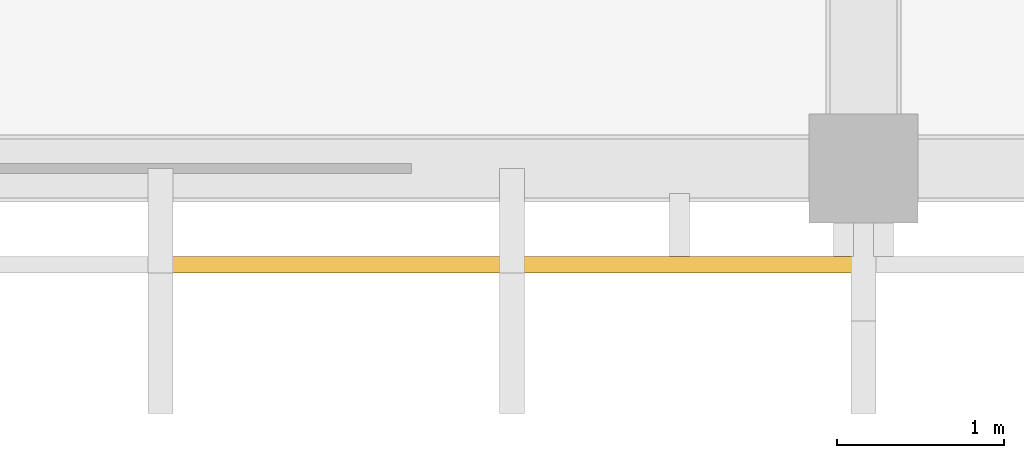
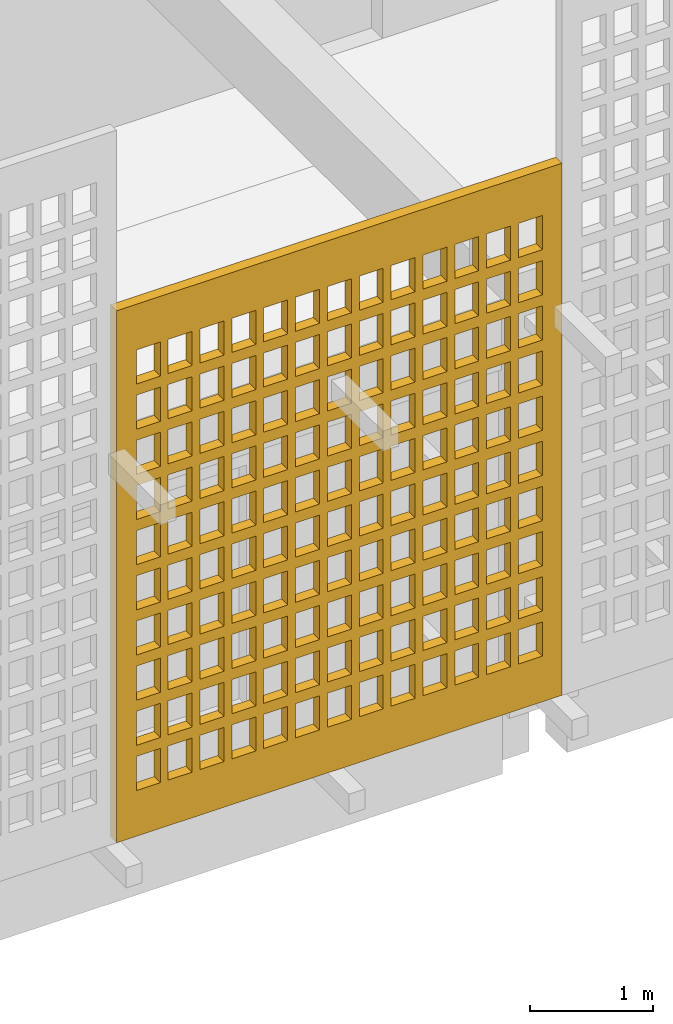
# One storey, part 9 of 23: 1 shading device, 1 opening.
"""IFC4 building model written with IfcOpenShell, lengths in metres."""

from ifc_helpers import new_model, si_unit, direction, frame, origin, origin_2d, place, context, subcontext, project, spatial, rectangle, extrude, material, layer, layer_set, type_object, element, save


model = new_model("IFC4")

# Units and contexts
model_context = context("Model", 3, precision=1e-05, world=origin(), true_north=direction((0.0, 1.0)))
body_context = subcontext(model_context, "Body", "Model", "MODEL_VIEW")
ifc_project = project(units=[si_unit("LENGTHUNIT", "METRE"), si_unit("AREAUNIT", "SQUARE_METRE"), si_unit("VOLUMEUNIT", "CUBIC_METRE"), si_unit("PLANEANGLEUNIT", "RADIAN"), si_unit("MASSUNIT", "GRAM", prefix="KILO")], contexts=[model_context])

# Site, building, storey
site_placement = place(None, origin())
site = spatial("IfcSite", under=ifc_project, at=site_placement, CompositionType="ELEMENT")
building_placement = place(site_placement, origin())
building = spatial("IfcBuilding", under=site, at=building_placement, Name="Rulbaag Community and Learning Centre", CompositionType="ELEMENT")
storey_placement = place(building_placement, frame((0.0, 0.0, 64.800048828125)))
storey = spatial("IfcBuildingStorey", under=building, at=storey_placement, Name="L17", CompositionType="ELEMENT", Elevation=64.800048828125)

# Shading device, opening
ifc_material = material(Name="Concrete M40", Category="concrete")
ifc_layer = layer(ifc_material, 0.10009765625)
ifc_layer_set = layer_set([ifc_layer], Name="JC-4")
shading_device_type = type_object("IfcShadingDeviceType", Name="JC-4", PredefinedType="SHUTTER", material=ifc_layer_set)
shading_device_placement = place(storey_placement, frame((157.5, 83.425048828125, 0.0), z_axis=(0.0, 0.0, 1.0), x_axis=(1.0, 0.0, 0.0)))
shading_device = element("IfcShadingDevice", 1, at=shading_device_placement, inside=storey, type_object=shading_device_type, Name="Jaali lantern screen", PredefinedType="SHUTTER", context=body_context, shape_type="SweptSolid", body=[
    extrude(rectangle(XDim=4.199951171875, YDim=0.10009765625, at=origin_2d()), origin(), (0.0, 0.0, 1.0), 5.300048828125),
])
opening_placement = place(shading_device_placement, origin())
element("IfcOpeningElement", 2, at=opening_placement, cuts=shading_device, Name="Perforation JC4", PredefinedType="OPENING", context=body_context, shape_type="SweptSolid", body=[
    extrude(rectangle(XDim=0.22509765625, YDim=0.340087890625, at=origin_2d()), frame((-1.800048828125, -0.06005859375, 0.625), z_axis=(0.0, 1.0, 0.0), x_axis=(1.0, 0.0, 0.0)), (0.0, 0.0, 1.0), 0.1201171875),
    extrude(rectangle(XDim=0.22509765625, YDim=0.340087890625, at=origin_2d()), frame((-1.5, -0.06005859375, 0.625), z_axis=(0.0, 1.0, 0.0), x_axis=(1.0, 0.0, 0.0)), (0.0, 0.0, 1.0), 0.1201171875),
    extrude(rectangle(XDim=0.22509765625, YDim=0.340087890625, at=origin_2d()), frame((-1.199951171875, -0.06005859375, 0.625), z_axis=(0.0, 1.0, 0.0), x_axis=(1.0, 0.0, 0.0)), (0.0, 0.0, 1.0), 0.1201171875),
    extrude(rectangle(XDim=0.22509765625, YDim=0.340087890625, at=origin_2d()), frame((-0.89990234375, -0.06005859375, 0.625), z_axis=(0.0, 1.0, 0.0), x_axis=(1.0, 0.0, 0.0)), (0.0, 0.0, 1.0), 0.1201171875),
    extrude(rectangle(XDim=0.22509765625, YDim=0.340087890625, at=origin_2d()), frame((-0.60009765625, -0.06005859375, 0.625), z_axis=(0.0, 1.0, 0.0), x_axis=(1.0, 0.0, 0.0)), (0.0, 0.0, 1.0), 0.1201171875),
    extrude(rectangle(XDim=0.22509765625, YDim=0.340087890625, at=origin_2d()), frame((-0.300048828125, -0.06005859375, 0.625), z_axis=(0.0, 1.0, 0.0), x_axis=(1.0, 0.0, 0.0)), (0.0, 0.0, 1.0), 0.1201171875),
    extrude(rectangle(XDim=0.22509765625, YDim=0.340087890625, at=origin_2d()), frame((0.0, -0.06005859375, 0.625), z_axis=(0.0, 1.0, 0.0), x_axis=(1.0, 0.0, 0.0)), (0.0, 0.0, 1.0), 0.1201171875),
    extrude(rectangle(XDim=0.22509765625, YDim=0.340087890625, at=origin_2d()), frame((0.300048828125, -0.06005859375, 0.625), z_axis=(0.0, 1.0, 0.0), x_axis=(1.0, 0.0, 0.0)), (0.0, 0.0, 1.0), 0.1201171875),
    extrude(rectangle(XDim=0.22509765625, YDim=0.340087890625, at=origin_2d()), frame((0.60009765625, -0.06005859375, 0.625), z_axis=(0.0, 1.0, 0.0), x_axis=(1.0, 0.0, 0.0)), (0.0, 0.0, 1.0), 0.1201171875),
    extrude(rectangle(XDim=0.22509765625, YDim=0.340087890625, at=origin_2d()), frame((0.89990234375, -0.06005859375, 0.625), z_axis=(0.0, 1.0, 0.0), x_axis=(1.0, 0.0, 0.0)), (0.0, 0.0, 1.0), 0.1201171875),
    extrude(rectangle(XDim=0.22509765625, YDim=0.340087890625, at=origin_2d()), frame((1.199951171875, -0.06005859375, 0.625), z_axis=(0.0, 1.0, 0.0), x_axis=(1.0, 0.0, 0.0)), (0.0, 0.0, 1.0), 0.1201171875),
    extrude(rectangle(XDim=0.22509765625, YDim=0.340087890625, at=origin_2d()), frame((1.5, -0.06005859375, 0.625), z_axis=(0.0, 1.0, 0.0), x_axis=(1.0, 0.0, 0.0)), (0.0, 0.0, 1.0), 0.1201171875),
    extrude(rectangle(XDim=0.22509765625, YDim=0.340087890625, at=origin_2d()), frame((1.800048828125, -0.06005859375, 0.625), z_axis=(0.0, 1.0, 0.0), x_axis=(1.0, 0.0, 0.0)), (0.0, 0.0, 1.0), 0.1201171875),
    extrude(rectangle(XDim=0.22509765625, YDim=0.340087890625, at=origin_2d()), frame((-1.800048828125, -0.06005859375, 1.074951171875), z_axis=(0.0, 1.0, 0.0), x_axis=(1.0, 0.0, 0.0)), (0.0, 0.0, 1.0), 0.1201171875),
    extrude(rectangle(XDim=0.22509765625, YDim=0.340087890625, at=origin_2d()), frame((-1.5, -0.06005859375, 1.074951171875), z_axis=(0.0, 1.0, 0.0), x_axis=(1.0, 0.0, 0.0)), (0.0, 0.0, 1.0), 0.1201171875),
    extrude(rectangle(XDim=0.22509765625, YDim=0.340087890625, at=origin_2d()), frame((-1.199951171875, -0.06005859375, 1.074951171875), z_axis=(0.0, 1.0, 0.0), x_axis=(1.0, 0.0, 0.0)), (0.0, 0.0, 1.0), 0.1201171875),
    extrude(rectangle(XDim=0.22509765625, YDim=0.340087890625, at=origin_2d()), frame((-0.89990234375, -0.06005859375, 1.074951171875), z_axis=(0.0, 1.0, 0.0), x_axis=(1.0, 0.0, 0.0)), (0.0, 0.0, 1.0), 0.1201171875),
    extrude(rectangle(XDim=0.22509765625, YDim=0.340087890625, at=origin_2d()), frame((-0.60009765625, -0.06005859375, 1.074951171875), z_axis=(0.0, 1.0, 0.0), x_axis=(1.0, 0.0, 0.0)), (0.0, 0.0, 1.0), 0.1201171875),
    extrude(rectangle(XDim=0.22509765625, YDim=0.340087890625, at=origin_2d()), frame((-0.300048828125, -0.06005859375, 1.074951171875), z_axis=(0.0, 1.0, 0.0), x_axis=(1.0, 0.0, 0.0)), (0.0, 0.0, 1.0), 0.1201171875),
    extrude(rectangle(XDim=0.22509765625, YDim=0.340087890625, at=origin_2d()), frame((0.0, -0.06005859375, 1.074951171875), z_axis=(0.0, 1.0, 0.0), x_axis=(1.0, 0.0, 0.0)), (0.0, 0.0, 1.0), 0.1201171875),
    extrude(rectangle(XDim=0.22509765625, YDim=0.340087890625, at=origin_2d()), frame((0.300048828125, -0.06005859375, 1.074951171875), z_axis=(0.0, 1.0, 0.0), x_axis=(1.0, 0.0, 0.0)), (0.0, 0.0, 1.0), 0.1201171875),
    extrude(rectangle(XDim=0.22509765625, YDim=0.340087890625, at=origin_2d()), frame((0.60009765625, -0.06005859375, 1.074951171875), z_axis=(0.0, 1.0, 0.0), x_axis=(1.0, 0.0, 0.0)), (0.0, 0.0, 1.0), 0.1201171875),
    extrude(rectangle(XDim=0.22509765625, YDim=0.340087890625, at=origin_2d()), frame((0.89990234375, -0.06005859375, 1.074951171875), z_axis=(0.0, 1.0, 0.0), x_axis=(1.0, 0.0, 0.0)), (0.0, 0.0, 1.0), 0.1201171875),
    extrude(rectangle(XDim=0.22509765625, YDim=0.340087890625, at=origin_2d()), frame((1.199951171875, -0.06005859375, 1.074951171875), z_axis=(0.0, 1.0, 0.0), x_axis=(1.0, 0.0, 0.0)), (0.0, 0.0, 1.0), 0.1201171875),
    extrude(rectangle(XDim=0.22509765625, YDim=0.340087890625, at=origin_2d()), frame((1.5, -0.06005859375, 1.074951171875), z_axis=(0.0, 1.0, 0.0), x_axis=(1.0, 0.0, 0.0)), (0.0, 0.0, 1.0), 0.1201171875),
    extrude(rectangle(XDim=0.22509765625, YDim=0.340087890625, at=origin_2d()), frame((1.800048828125, -0.06005859375, 1.074951171875), z_axis=(0.0, 1.0, 0.0), x_axis=(1.0, 0.0, 0.0)), (0.0, 0.0, 1.0), 0.1201171875),
    extrude(rectangle(XDim=0.22509765625, YDim=0.340087890625, at=origin_2d()), frame((-1.800048828125, -0.06005859375, 1.52490234375), z_axis=(0.0, 1.0, 0.0), x_axis=(1.0, 0.0, 0.0)), (0.0, 0.0, 1.0), 0.1201171875),
    extrude(rectangle(XDim=0.22509765625, YDim=0.340087890625, at=origin_2d()), frame((-1.5, -0.06005859375, 1.52490234375), z_axis=(0.0, 1.0, 0.0), x_axis=(1.0, 0.0, 0.0)), (0.0, 0.0, 1.0), 0.1201171875),
    extrude(rectangle(XDim=0.22509765625, YDim=0.340087890625, at=origin_2d()), frame((-1.199951171875, -0.06005859375, 1.52490234375), z_axis=(0.0, 1.0, 0.0), x_axis=(1.0, 0.0, 0.0)), (0.0, 0.0, 1.0), 0.1201171875),
    extrude(rectangle(XDim=0.22509765625, YDim=0.340087890625, at=origin_2d()), frame((-0.89990234375, -0.06005859375, 1.52490234375), z_axis=(0.0, 1.0, 0.0), x_axis=(1.0, 0.0, 0.0)), (0.0, 0.0, 1.0), 0.1201171875),
    extrude(rectangle(XDim=0.22509765625, YDim=0.340087890625, at=origin_2d()), frame((-0.60009765625, -0.06005859375, 1.52490234375), z_axis=(0.0, 1.0, 0.0), x_axis=(1.0, 0.0, 0.0)), (0.0, 0.0, 1.0), 0.1201171875),
    extrude(rectangle(XDim=0.22509765625, YDim=0.340087890625, at=origin_2d()), frame((-0.300048828125, -0.06005859375, 1.52490234375), z_axis=(0.0, 1.0, 0.0), x_axis=(1.0, 0.0, 0.0)), (0.0, 0.0, 1.0), 0.1201171875),
    extrude(rectangle(XDim=0.22509765625, YDim=0.340087890625, at=origin_2d()), frame((0.0, -0.06005859375, 1.52490234375), z_axis=(0.0, 1.0, 0.0), x_axis=(1.0, 0.0, 0.0)), (0.0, 0.0, 1.0), 0.1201171875),
    extrude(rectangle(XDim=0.22509765625, YDim=0.340087890625, at=origin_2d()), frame((0.300048828125, -0.06005859375, 1.52490234375), z_axis=(0.0, 1.0, 0.0), x_axis=(1.0, 0.0, 0.0)), (0.0, 0.0, 1.0), 0.1201171875),
    extrude(rectangle(XDim=0.22509765625, YDim=0.340087890625, at=origin_2d()), frame((0.60009765625, -0.06005859375, 1.52490234375), z_axis=(0.0, 1.0, 0.0), x_axis=(1.0, 0.0, 0.0)), (0.0, 0.0, 1.0), 0.1201171875),
    extrude(rectangle(XDim=0.22509765625, YDim=0.340087890625, at=origin_2d()), frame((0.89990234375, -0.06005859375, 1.52490234375), z_axis=(0.0, 1.0, 0.0), x_axis=(1.0, 0.0, 0.0)), (0.0, 0.0, 1.0), 0.1201171875),
    extrude(rectangle(XDim=0.22509765625, YDim=0.340087890625, at=origin_2d()), frame((1.199951171875, -0.06005859375, 1.52490234375), z_axis=(0.0, 1.0, 0.0), x_axis=(1.0, 0.0, 0.0)), (0.0, 0.0, 1.0), 0.1201171875),
    extrude(rectangle(XDim=0.22509765625, YDim=0.340087890625, at=origin_2d()), frame((1.5, -0.06005859375, 1.52490234375), z_axis=(0.0, 1.0, 0.0), x_axis=(1.0, 0.0, 0.0)), (0.0, 0.0, 1.0), 0.1201171875),
    extrude(rectangle(XDim=0.22509765625, YDim=0.340087890625, at=origin_2d()), frame((1.800048828125, -0.06005859375, 1.52490234375), z_axis=(0.0, 1.0, 0.0), x_axis=(1.0, 0.0, 0.0)), (0.0, 0.0, 1.0), 0.1201171875),
    extrude(rectangle(XDim=0.22509765625, YDim=0.340087890625, at=origin_2d()), frame((-1.800048828125, -0.06005859375, 1.97509765625), z_axis=(0.0, 1.0, 0.0), x_axis=(1.0, 0.0, 0.0)), (0.0, 0.0, 1.0), 0.1201171875),
    extrude(rectangle(XDim=0.22509765625, YDim=0.340087890625, at=origin_2d()), frame((-1.5, -0.06005859375, 1.97509765625), z_axis=(0.0, 1.0, 0.0), x_axis=(1.0, 0.0, 0.0)), (0.0, 0.0, 1.0), 0.1201171875),
    extrude(rectangle(XDim=0.22509765625, YDim=0.340087890625, at=origin_2d()), frame((-1.199951171875, -0.06005859375, 1.97509765625), z_axis=(0.0, 1.0, 0.0), x_axis=(1.0, 0.0, 0.0)), (0.0, 0.0, 1.0), 0.1201171875),
    extrude(rectangle(XDim=0.22509765625, YDim=0.340087890625, at=origin_2d()), frame((-0.89990234375, -0.06005859375, 1.97509765625), z_axis=(0.0, 1.0, 0.0), x_axis=(1.0, 0.0, 0.0)), (0.0, 0.0, 1.0), 0.1201171875),
    extrude(rectangle(XDim=0.22509765625, YDim=0.340087890625, at=origin_2d()), frame((-0.60009765625, -0.06005859375, 1.97509765625), z_axis=(0.0, 1.0, 0.0), x_axis=(1.0, 0.0, 0.0)), (0.0, 0.0, 1.0), 0.1201171875),
    extrude(rectangle(XDim=0.22509765625, YDim=0.340087890625, at=origin_2d()), frame((-0.300048828125, -0.06005859375, 1.97509765625), z_axis=(0.0, 1.0, 0.0), x_axis=(1.0, 0.0, 0.0)), (0.0, 0.0, 1.0), 0.1201171875),
    extrude(rectangle(XDim=0.22509765625, YDim=0.340087890625, at=origin_2d()), frame((0.0, -0.06005859375, 1.97509765625), z_axis=(0.0, 1.0, 0.0), x_axis=(1.0, 0.0, 0.0)), (0.0, 0.0, 1.0), 0.1201171875),
    extrude(rectangle(XDim=0.22509765625, YDim=0.340087890625, at=origin_2d()), frame((0.300048828125, -0.06005859375, 1.97509765625), z_axis=(0.0, 1.0, 0.0), x_axis=(1.0, 0.0, 0.0)), (0.0, 0.0, 1.0), 0.1201171875),
    extrude(rectangle(XDim=0.22509765625, YDim=0.340087890625, at=origin_2d()), frame((0.60009765625, -0.06005859375, 1.97509765625), z_axis=(0.0, 1.0, 0.0), x_axis=(1.0, 0.0, 0.0)), (0.0, 0.0, 1.0), 0.1201171875),
    extrude(rectangle(XDim=0.22509765625, YDim=0.340087890625, at=origin_2d()), frame((0.89990234375, -0.06005859375, 1.97509765625), z_axis=(0.0, 1.0, 0.0), x_axis=(1.0, 0.0, 0.0)), (0.0, 0.0, 1.0), 0.1201171875),
    extrude(rectangle(XDim=0.22509765625, YDim=0.340087890625, at=origin_2d()), frame((1.199951171875, -0.06005859375, 1.97509765625), z_axis=(0.0, 1.0, 0.0), x_axis=(1.0, 0.0, 0.0)), (0.0, 0.0, 1.0), 0.1201171875),
    extrude(rectangle(XDim=0.22509765625, YDim=0.340087890625, at=origin_2d()), frame((1.5, -0.06005859375, 1.97509765625), z_axis=(0.0, 1.0, 0.0), x_axis=(1.0, 0.0, 0.0)), (0.0, 0.0, 1.0), 0.1201171875),
    extrude(rectangle(XDim=0.22509765625, YDim=0.340087890625, at=origin_2d()), frame((1.800048828125, -0.06005859375, 1.97509765625), z_axis=(0.0, 1.0, 0.0), x_axis=(1.0, 0.0, 0.0)), (0.0, 0.0, 1.0), 0.1201171875),
    extrude(rectangle(XDim=0.22509765625, YDim=0.340087890625, at=origin_2d()), frame((-1.800048828125, -0.06005859375, 2.425048828125), z_axis=(0.0, 1.0, 0.0), x_axis=(1.0, 0.0, 0.0)), (0.0, 0.0, 1.0), 0.1201171875),
    extrude(rectangle(XDim=0.22509765625, YDim=0.340087890625, at=origin_2d()), frame((-1.5, -0.06005859375, 2.425048828125), z_axis=(0.0, 1.0, 0.0), x_axis=(1.0, 0.0, 0.0)), (0.0, 0.0, 1.0), 0.1201171875),
    extrude(rectangle(XDim=0.22509765625, YDim=0.340087890625, at=origin_2d()), frame((-1.199951171875, -0.06005859375, 2.425048828125), z_axis=(0.0, 1.0, 0.0), x_axis=(1.0, 0.0, 0.0)), (0.0, 0.0, 1.0), 0.1201171875),
    extrude(rectangle(XDim=0.22509765625, YDim=0.340087890625, at=origin_2d()), frame((-0.89990234375, -0.06005859375, 2.425048828125), z_axis=(0.0, 1.0, 0.0), x_axis=(1.0, 0.0, 0.0)), (0.0, 0.0, 1.0), 0.1201171875),
    extrude(rectangle(XDim=0.22509765625, YDim=0.340087890625, at=origin_2d()), frame((-0.60009765625, -0.06005859375, 2.425048828125), z_axis=(0.0, 1.0, 0.0), x_axis=(1.0, 0.0, 0.0)), (0.0, 0.0, 1.0), 0.1201171875),
    extrude(rectangle(XDim=0.22509765625, YDim=0.340087890625, at=origin_2d()), frame((-0.300048828125, -0.06005859375, 2.425048828125), z_axis=(0.0, 1.0, 0.0), x_axis=(1.0, 0.0, 0.0)), (0.0, 0.0, 1.0), 0.1201171875),
    extrude(rectangle(XDim=0.22509765625, YDim=0.340087890625, at=origin_2d()), frame((0.0, -0.06005859375, 2.425048828125), z_axis=(0.0, 1.0, 0.0), x_axis=(1.0, 0.0, 0.0)), (0.0, 0.0, 1.0), 0.1201171875),
    extrude(rectangle(XDim=0.22509765625, YDim=0.340087890625, at=origin_2d()), frame((0.300048828125, -0.06005859375, 2.425048828125), z_axis=(0.0, 1.0, 0.0), x_axis=(1.0, 0.0, 0.0)), (0.0, 0.0, 1.0), 0.1201171875),
    extrude(rectangle(XDim=0.22509765625, YDim=0.340087890625, at=origin_2d()), frame((0.60009765625, -0.06005859375, 2.425048828125), z_axis=(0.0, 1.0, 0.0), x_axis=(1.0, 0.0, 0.0)), (0.0, 0.0, 1.0), 0.1201171875),
    extrude(rectangle(XDim=0.22509765625, YDim=0.340087890625, at=origin_2d()), frame((0.89990234375, -0.06005859375, 2.425048828125), z_axis=(0.0, 1.0, 0.0), x_axis=(1.0, 0.0, 0.0)), (0.0, 0.0, 1.0), 0.1201171875),
    extrude(rectangle(XDim=0.22509765625, YDim=0.340087890625, at=origin_2d()), frame((1.199951171875, -0.06005859375, 2.425048828125), z_axis=(0.0, 1.0, 0.0), x_axis=(1.0, 0.0, 0.0)), (0.0, 0.0, 1.0), 0.1201171875),
    extrude(rectangle(XDim=0.22509765625, YDim=0.340087890625, at=origin_2d()), frame((1.5, -0.06005859375, 2.425048828125), z_axis=(0.0, 1.0, 0.0), x_axis=(1.0, 0.0, 0.0)), (0.0, 0.0, 1.0), 0.1201171875),
    extrude(rectangle(XDim=0.22509765625, YDim=0.340087890625, at=origin_2d()), frame((1.800048828125, -0.06005859375, 2.425048828125), z_axis=(0.0, 1.0, 0.0), x_axis=(1.0, 0.0, 0.0)), (0.0, 0.0, 1.0), 0.1201171875),
    extrude(rectangle(XDim=0.22509765625, YDim=0.340087890625, at=origin_2d()), frame((-1.800048828125, -0.06005859375, 2.875), z_axis=(0.0, 1.0, 0.0), x_axis=(1.0, 0.0, 0.0)), (0.0, 0.0, 1.0), 0.1201171875),
    extrude(rectangle(XDim=0.22509765625, YDim=0.340087890625, at=origin_2d()), frame((-1.5, -0.06005859375, 2.875), z_axis=(0.0, 1.0, 0.0), x_axis=(1.0, 0.0, 0.0)), (0.0, 0.0, 1.0), 0.1201171875),
    extrude(rectangle(XDim=0.22509765625, YDim=0.340087890625, at=origin_2d()), frame((-1.199951171875, -0.06005859375, 2.875), z_axis=(0.0, 1.0, 0.0), x_axis=(1.0, 0.0, 0.0)), (0.0, 0.0, 1.0), 0.1201171875),
    extrude(rectangle(XDim=0.22509765625, YDim=0.340087890625, at=origin_2d()), frame((-0.89990234375, -0.06005859375, 2.875), z_axis=(0.0, 1.0, 0.0), x_axis=(1.0, 0.0, 0.0)), (0.0, 0.0, 1.0), 0.1201171875),
    extrude(rectangle(XDim=0.22509765625, YDim=0.340087890625, at=origin_2d()), frame((-0.60009765625, -0.06005859375, 2.875), z_axis=(0.0, 1.0, 0.0), x_axis=(1.0, 0.0, 0.0)), (0.0, 0.0, 1.0), 0.1201171875),
    extrude(rectangle(XDim=0.22509765625, YDim=0.340087890625, at=origin_2d()), frame((-0.300048828125, -0.06005859375, 2.875), z_axis=(0.0, 1.0, 0.0), x_axis=(1.0, 0.0, 0.0)), (0.0, 0.0, 1.0), 0.1201171875),
    extrude(rectangle(XDim=0.22509765625, YDim=0.340087890625, at=origin_2d()), frame((0.0, -0.06005859375, 2.875), z_axis=(0.0, 1.0, 0.0), x_axis=(1.0, 0.0, 0.0)), (0.0, 0.0, 1.0), 0.1201171875),
    extrude(rectangle(XDim=0.22509765625, YDim=0.340087890625, at=origin_2d()), frame((0.300048828125, -0.06005859375, 2.875), z_axis=(0.0, 1.0, 0.0), x_axis=(1.0, 0.0, 0.0)), (0.0, 0.0, 1.0), 0.1201171875),
    extrude(rectangle(XDim=0.22509765625, YDim=0.340087890625, at=origin_2d()), frame((0.60009765625, -0.06005859375, 2.875), z_axis=(0.0, 1.0, 0.0), x_axis=(1.0, 0.0, 0.0)), (0.0, 0.0, 1.0), 0.1201171875),
    extrude(rectangle(XDim=0.22509765625, YDim=0.340087890625, at=origin_2d()), frame((0.89990234375, -0.06005859375, 2.875), z_axis=(0.0, 1.0, 0.0), x_axis=(1.0, 0.0, 0.0)), (0.0, 0.0, 1.0), 0.1201171875),
    extrude(rectangle(XDim=0.22509765625, YDim=0.340087890625, at=origin_2d()), frame((1.199951171875, -0.06005859375, 2.875), z_axis=(0.0, 1.0, 0.0), x_axis=(1.0, 0.0, 0.0)), (0.0, 0.0, 1.0), 0.1201171875),
    extrude(rectangle(XDim=0.22509765625, YDim=0.340087890625, at=origin_2d()), frame((1.5, -0.06005859375, 2.875), z_axis=(0.0, 1.0, 0.0), x_axis=(1.0, 0.0, 0.0)), (0.0, 0.0, 1.0), 0.1201171875),
    extrude(rectangle(XDim=0.22509765625, YDim=0.340087890625, at=origin_2d()), frame((1.800048828125, -0.06005859375, 2.875), z_axis=(0.0, 1.0, 0.0), x_axis=(1.0, 0.0, 0.0)), (0.0, 0.0, 1.0), 0.1201171875),
    extrude(rectangle(XDim=0.22509765625, YDim=0.340087890625, at=origin_2d()), frame((-1.800048828125, -0.06005859375, 3.324951171875), z_axis=(0.0, 1.0, 0.0), x_axis=(1.0, 0.0, 0.0)), (0.0, 0.0, 1.0), 0.1201171875),
    extrude(rectangle(XDim=0.22509765625, YDim=0.340087890625, at=origin_2d()), frame((-1.5, -0.06005859375, 3.324951171875), z_axis=(0.0, 1.0, 0.0), x_axis=(1.0, 0.0, 0.0)), (0.0, 0.0, 1.0), 0.1201171875),
    extrude(rectangle(XDim=0.22509765625, YDim=0.340087890625, at=origin_2d()), frame((-1.199951171875, -0.06005859375, 3.324951171875), z_axis=(0.0, 1.0, 0.0), x_axis=(1.0, 0.0, 0.0)), (0.0, 0.0, 1.0), 0.1201171875),
    extrude(rectangle(XDim=0.22509765625, YDim=0.340087890625, at=origin_2d()), frame((-0.89990234375, -0.06005859375, 3.324951171875), z_axis=(0.0, 1.0, 0.0), x_axis=(1.0, 0.0, 0.0)), (0.0, 0.0, 1.0), 0.1201171875),
    extrude(rectangle(XDim=0.22509765625, YDim=0.340087890625, at=origin_2d()), frame((-0.60009765625, -0.06005859375, 3.324951171875), z_axis=(0.0, 1.0, 0.0), x_axis=(1.0, 0.0, 0.0)), (0.0, 0.0, 1.0), 0.1201171875),
    extrude(rectangle(XDim=0.22509765625, YDim=0.340087890625, at=origin_2d()), frame((-0.300048828125, -0.06005859375, 3.324951171875), z_axis=(0.0, 1.0, 0.0), x_axis=(1.0, 0.0, 0.0)), (0.0, 0.0, 1.0), 0.1201171875),
    extrude(rectangle(XDim=0.22509765625, YDim=0.340087890625, at=origin_2d()), frame((0.0, -0.06005859375, 3.324951171875), z_axis=(0.0, 1.0, 0.0), x_axis=(1.0, 0.0, 0.0)), (0.0, 0.0, 1.0), 0.1201171875),
    extrude(rectangle(XDim=0.22509765625, YDim=0.340087890625, at=origin_2d()), frame((0.300048828125, -0.06005859375, 3.324951171875), z_axis=(0.0, 1.0, 0.0), x_axis=(1.0, 0.0, 0.0)), (0.0, 0.0, 1.0), 0.1201171875),
    extrude(rectangle(XDim=0.22509765625, YDim=0.340087890625, at=origin_2d()), frame((0.60009765625, -0.06005859375, 3.324951171875), z_axis=(0.0, 1.0, 0.0), x_axis=(1.0, 0.0, 0.0)), (0.0, 0.0, 1.0), 0.1201171875),
    extrude(rectangle(XDim=0.22509765625, YDim=0.340087890625, at=origin_2d()), frame((0.89990234375, -0.06005859375, 3.324951171875), z_axis=(0.0, 1.0, 0.0), x_axis=(1.0, 0.0, 0.0)), (0.0, 0.0, 1.0), 0.1201171875),
    extrude(rectangle(XDim=0.22509765625, YDim=0.340087890625, at=origin_2d()), frame((1.199951171875, -0.06005859375, 3.324951171875), z_axis=(0.0, 1.0, 0.0), x_axis=(1.0, 0.0, 0.0)), (0.0, 0.0, 1.0), 0.1201171875),
    extrude(rectangle(XDim=0.22509765625, YDim=0.340087890625, at=origin_2d()), frame((1.5, -0.06005859375, 3.324951171875), z_axis=(0.0, 1.0, 0.0), x_axis=(1.0, 0.0, 0.0)), (0.0, 0.0, 1.0), 0.1201171875),
    extrude(rectangle(XDim=0.22509765625, YDim=0.340087890625, at=origin_2d()), frame((1.800048828125, -0.06005859375, 3.324951171875), z_axis=(0.0, 1.0, 0.0), x_axis=(1.0, 0.0, 0.0)), (0.0, 0.0, 1.0), 0.1201171875),
    extrude(rectangle(XDim=0.22509765625, YDim=0.340087890625, at=origin_2d()), frame((-1.800048828125, -0.06005859375, 3.77490234375), z_axis=(0.0, 1.0, 0.0), x_axis=(1.0, 0.0, 0.0)), (0.0, 0.0, 1.0), 0.1201171875),
    extrude(rectangle(XDim=0.22509765625, YDim=0.340087890625, at=origin_2d()), frame((-1.5, -0.06005859375, 3.77490234375), z_axis=(0.0, 1.0, 0.0), x_axis=(1.0, 0.0, 0.0)), (0.0, 0.0, 1.0), 0.1201171875),
    extrude(rectangle(XDim=0.22509765625, YDim=0.340087890625, at=origin_2d()), frame((-1.199951171875, -0.06005859375, 3.77490234375), z_axis=(0.0, 1.0, 0.0), x_axis=(1.0, 0.0, 0.0)), (0.0, 0.0, 1.0), 0.1201171875),
    extrude(rectangle(XDim=0.22509765625, YDim=0.340087890625, at=origin_2d()), frame((-0.89990234375, -0.06005859375, 3.77490234375), z_axis=(0.0, 1.0, 0.0), x_axis=(1.0, 0.0, 0.0)), (0.0, 0.0, 1.0), 0.1201171875),
    extrude(rectangle(XDim=0.22509765625, YDim=0.340087890625, at=origin_2d()), frame((-0.60009765625, -0.06005859375, 3.77490234375), z_axis=(0.0, 1.0, 0.0), x_axis=(1.0, 0.0, 0.0)), (0.0, 0.0, 1.0), 0.1201171875),
    extrude(rectangle(XDim=0.22509765625, YDim=0.340087890625, at=origin_2d()), frame((-0.300048828125, -0.06005859375, 3.77490234375), z_axis=(0.0, 1.0, 0.0), x_axis=(1.0, 0.0, 0.0)), (0.0, 0.0, 1.0), 0.1201171875),
    extrude(rectangle(XDim=0.22509765625, YDim=0.340087890625, at=origin_2d()), frame((0.0, -0.06005859375, 3.77490234375), z_axis=(0.0, 1.0, 0.0), x_axis=(1.0, 0.0, 0.0)), (0.0, 0.0, 1.0), 0.1201171875),
    extrude(rectangle(XDim=0.22509765625, YDim=0.340087890625, at=origin_2d()), frame((0.300048828125, -0.06005859375, 3.77490234375), z_axis=(0.0, 1.0, 0.0), x_axis=(1.0, 0.0, 0.0)), (0.0, 0.0, 1.0), 0.1201171875),
    extrude(rectangle(XDim=0.22509765625, YDim=0.340087890625, at=origin_2d()), frame((0.60009765625, -0.06005859375, 3.77490234375), z_axis=(0.0, 1.0, 0.0), x_axis=(1.0, 0.0, 0.0)), (0.0, 0.0, 1.0), 0.1201171875),
    extrude(rectangle(XDim=0.22509765625, YDim=0.340087890625, at=origin_2d()), frame((0.89990234375, -0.06005859375, 3.77490234375), z_axis=(0.0, 1.0, 0.0), x_axis=(1.0, 0.0, 0.0)), (0.0, 0.0, 1.0), 0.1201171875),
    extrude(rectangle(XDim=0.22509765625, YDim=0.340087890625, at=origin_2d()), frame((1.199951171875, -0.06005859375, 3.77490234375), z_axis=(0.0, 1.0, 0.0), x_axis=(1.0, 0.0, 0.0)), (0.0, 0.0, 1.0), 0.1201171875),
    extrude(rectangle(XDim=0.22509765625, YDim=0.340087890625, at=origin_2d()), frame((1.5, -0.06005859375, 3.77490234375), z_axis=(0.0, 1.0, 0.0), x_axis=(1.0, 0.0, 0.0)), (0.0, 0.0, 1.0), 0.1201171875),
    extrude(rectangle(XDim=0.22509765625, YDim=0.340087890625, at=origin_2d()), frame((1.800048828125, -0.06005859375, 3.77490234375), z_axis=(0.0, 1.0, 0.0), x_axis=(1.0, 0.0, 0.0)), (0.0, 0.0, 1.0), 0.1201171875),
    extrude(rectangle(XDim=0.22509765625, YDim=0.340087890625, at=origin_2d()), frame((-1.800048828125, -0.06005859375, 4.22509765625), z_axis=(0.0, 1.0, 0.0), x_axis=(1.0, 0.0, 0.0)), (0.0, 0.0, 1.0), 0.1201171875),
    extrude(rectangle(XDim=0.22509765625, YDim=0.340087890625, at=origin_2d()), frame((-1.5, -0.06005859375, 4.22509765625), z_axis=(0.0, 1.0, 0.0), x_axis=(1.0, 0.0, 0.0)), (0.0, 0.0, 1.0), 0.1201171875),
    extrude(rectangle(XDim=0.22509765625, YDim=0.340087890625, at=origin_2d()), frame((-1.199951171875, -0.06005859375, 4.22509765625), z_axis=(0.0, 1.0, 0.0), x_axis=(1.0, 0.0, 0.0)), (0.0, 0.0, 1.0), 0.1201171875),
    extrude(rectangle(XDim=0.22509765625, YDim=0.340087890625, at=origin_2d()), frame((-0.89990234375, -0.06005859375, 4.22509765625), z_axis=(0.0, 1.0, 0.0), x_axis=(1.0, 0.0, 0.0)), (0.0, 0.0, 1.0), 0.1201171875),
    extrude(rectangle(XDim=0.22509765625, YDim=0.340087890625, at=origin_2d()), frame((-0.60009765625, -0.06005859375, 4.22509765625), z_axis=(0.0, 1.0, 0.0), x_axis=(1.0, 0.0, 0.0)), (0.0, 0.0, 1.0), 0.1201171875),
    extrude(rectangle(XDim=0.22509765625, YDim=0.340087890625, at=origin_2d()), frame((-0.300048828125, -0.06005859375, 4.22509765625), z_axis=(0.0, 1.0, 0.0), x_axis=(1.0, 0.0, 0.0)), (0.0, 0.0, 1.0), 0.1201171875),
    extrude(rectangle(XDim=0.22509765625, YDim=0.340087890625, at=origin_2d()), frame((0.0, -0.06005859375, 4.22509765625), z_axis=(0.0, 1.0, 0.0), x_axis=(1.0, 0.0, 0.0)), (0.0, 0.0, 1.0), 0.1201171875),
    extrude(rectangle(XDim=0.22509765625, YDim=0.340087890625, at=origin_2d()), frame((0.300048828125, -0.06005859375, 4.22509765625), z_axis=(0.0, 1.0, 0.0), x_axis=(1.0, 0.0, 0.0)), (0.0, 0.0, 1.0), 0.1201171875),
    extrude(rectangle(XDim=0.22509765625, YDim=0.340087890625, at=origin_2d()), frame((0.60009765625, -0.06005859375, 4.22509765625), z_axis=(0.0, 1.0, 0.0), x_axis=(1.0, 0.0, 0.0)), (0.0, 0.0, 1.0), 0.1201171875),
    extrude(rectangle(XDim=0.22509765625, YDim=0.340087890625, at=origin_2d()), frame((0.89990234375, -0.06005859375, 4.22509765625), z_axis=(0.0, 1.0, 0.0), x_axis=(1.0, 0.0, 0.0)), (0.0, 0.0, 1.0), 0.1201171875),
    extrude(rectangle(XDim=0.22509765625, YDim=0.340087890625, at=origin_2d()), frame((1.199951171875, -0.06005859375, 4.22509765625), z_axis=(0.0, 1.0, 0.0), x_axis=(1.0, 0.0, 0.0)), (0.0, 0.0, 1.0), 0.1201171875),
    extrude(rectangle(XDim=0.22509765625, YDim=0.340087890625, at=origin_2d()), frame((1.5, -0.06005859375, 4.22509765625), z_axis=(0.0, 1.0, 0.0), x_axis=(1.0, 0.0, 0.0)), (0.0, 0.0, 1.0), 0.1201171875),
    extrude(rectangle(XDim=0.22509765625, YDim=0.340087890625, at=origin_2d()), frame((1.800048828125, -0.06005859375, 4.22509765625), z_axis=(0.0, 1.0, 0.0), x_axis=(1.0, 0.0, 0.0)), (0.0, 0.0, 1.0), 0.1201171875),
    extrude(rectangle(XDim=0.22509765625, YDim=0.340087890625, at=origin_2d()), frame((-1.800048828125, -0.06005859375, 4.675048828125), z_axis=(0.0, 1.0, 0.0), x_axis=(1.0, 0.0, 0.0)), (0.0, 0.0, 1.0), 0.1201171875),
    extrude(rectangle(XDim=0.22509765625, YDim=0.340087890625, at=origin_2d()), frame((-1.5, -0.06005859375, 4.675048828125), z_axis=(0.0, 1.0, 0.0), x_axis=(1.0, 0.0, 0.0)), (0.0, 0.0, 1.0), 0.1201171875),
    extrude(rectangle(XDim=0.22509765625, YDim=0.340087890625, at=origin_2d()), frame((-1.199951171875, -0.06005859375, 4.675048828125), z_axis=(0.0, 1.0, 0.0), x_axis=(1.0, 0.0, 0.0)), (0.0, 0.0, 1.0), 0.1201171875),
    extrude(rectangle(XDim=0.22509765625, YDim=0.340087890625, at=origin_2d()), frame((-0.89990234375, -0.06005859375, 4.675048828125), z_axis=(0.0, 1.0, 0.0), x_axis=(1.0, 0.0, 0.0)), (0.0, 0.0, 1.0), 0.1201171875),
    extrude(rectangle(XDim=0.22509765625, YDim=0.340087890625, at=origin_2d()), frame((-0.60009765625, -0.06005859375, 4.675048828125), z_axis=(0.0, 1.0, 0.0), x_axis=(1.0, 0.0, 0.0)), (0.0, 0.0, 1.0), 0.1201171875),
    extrude(rectangle(XDim=0.22509765625, YDim=0.340087890625, at=origin_2d()), frame((-0.300048828125, -0.06005859375, 4.675048828125), z_axis=(0.0, 1.0, 0.0), x_axis=(1.0, 0.0, 0.0)), (0.0, 0.0, 1.0), 0.1201171875),
    extrude(rectangle(XDim=0.22509765625, YDim=0.340087890625, at=origin_2d()), frame((0.0, -0.06005859375, 4.675048828125), z_axis=(0.0, 1.0, 0.0), x_axis=(1.0, 0.0, 0.0)), (0.0, 0.0, 1.0), 0.1201171875),
    extrude(rectangle(XDim=0.22509765625, YDim=0.340087890625, at=origin_2d()), frame((0.300048828125, -0.06005859375, 4.675048828125), z_axis=(0.0, 1.0, 0.0), x_axis=(1.0, 0.0, 0.0)), (0.0, 0.0, 1.0), 0.1201171875),
    extrude(rectangle(XDim=0.22509765625, YDim=0.340087890625, at=origin_2d()), frame((0.60009765625, -0.06005859375, 4.675048828125), z_axis=(0.0, 1.0, 0.0), x_axis=(1.0, 0.0, 0.0)), (0.0, 0.0, 1.0), 0.1201171875),
    extrude(rectangle(XDim=0.22509765625, YDim=0.340087890625, at=origin_2d()), frame((0.89990234375, -0.06005859375, 4.675048828125), z_axis=(0.0, 1.0, 0.0), x_axis=(1.0, 0.0, 0.0)), (0.0, 0.0, 1.0), 0.1201171875),
    extrude(rectangle(XDim=0.22509765625, YDim=0.340087890625, at=origin_2d()), frame((1.199951171875, -0.06005859375, 4.675048828125), z_axis=(0.0, 1.0, 0.0), x_axis=(1.0, 0.0, 0.0)), (0.0, 0.0, 1.0), 0.1201171875),
    extrude(rectangle(XDim=0.22509765625, YDim=0.340087890625, at=origin_2d()), frame((1.5, -0.06005859375, 4.675048828125), z_axis=(0.0, 1.0, 0.0), x_axis=(1.0, 0.0, 0.0)), (0.0, 0.0, 1.0), 0.1201171875),
    extrude(rectangle(XDim=0.22509765625, YDim=0.340087890625, at=origin_2d()), frame((1.800048828125, -0.06005859375, 4.675048828125), z_axis=(0.0, 1.0, 0.0), x_axis=(1.0, 0.0, 0.0)), (0.0, 0.0, 1.0), 0.1201171875),
])

save(model, "model.ifc")
